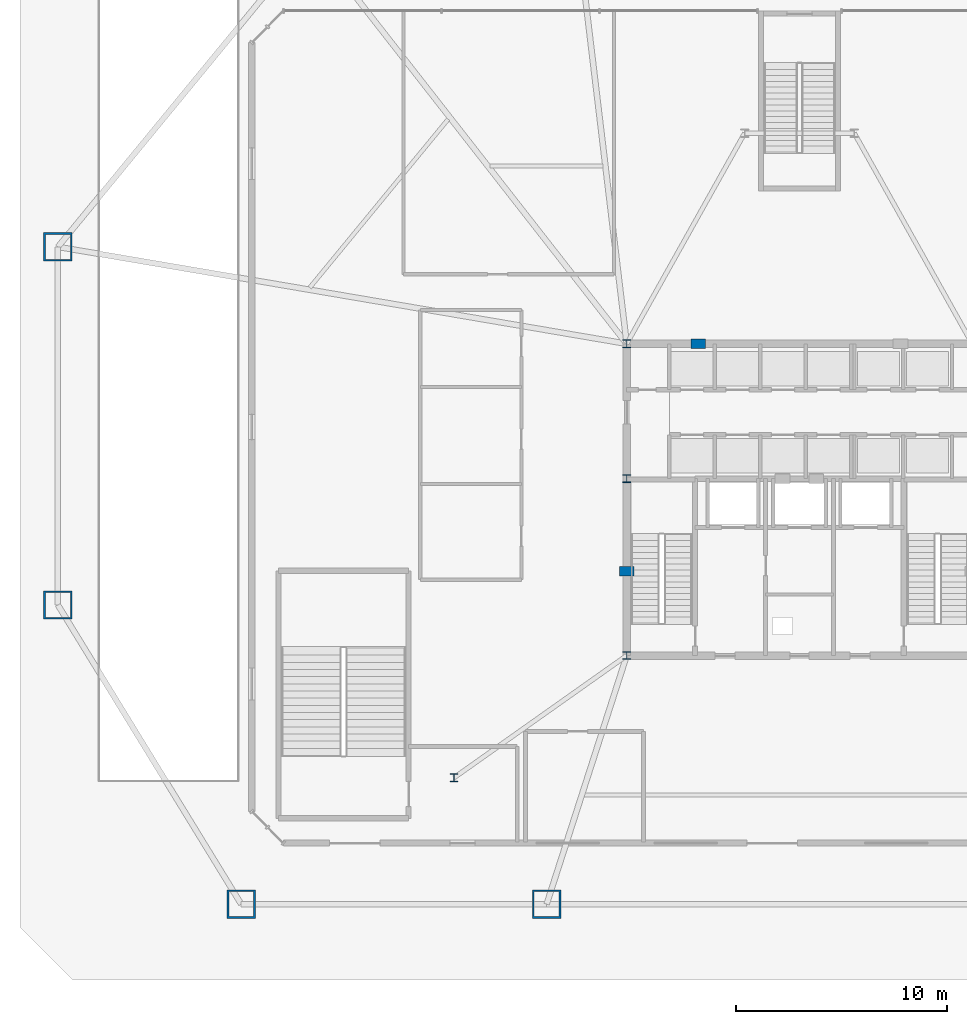
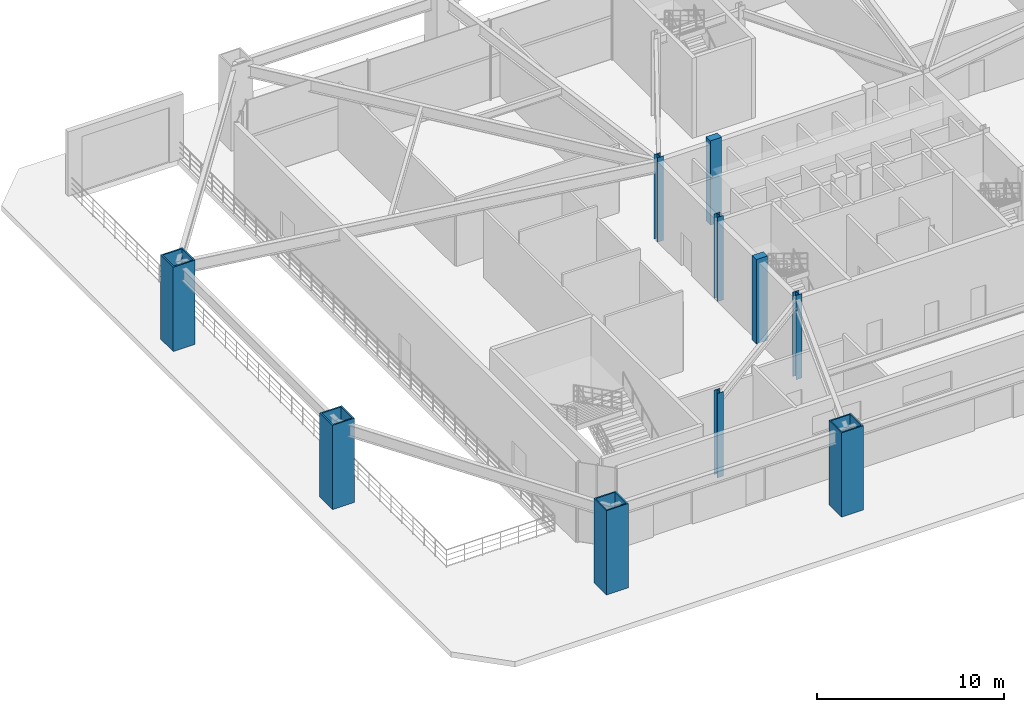
# One storey, part 1 of 20: 10 columns.
"""IFC4 building model written with IfcOpenShell, lengths in metres."""

from ifc_helpers import new_model, si_unit, direction, frame, origin, origin_2d, place, context, subcontext, project, spatial, rectangle, hollow_rectangle, i_section, extrude, material, material_profile, profile_set, type_object, element, save


model = new_model("IFC4")

# Units and contexts
model_context = context("Model", 3, precision=1e-05, world=origin(), true_north=direction((0.0, 1.0)))
body_context = subcontext(model_context, "Body", "Model", "MODEL_VIEW")
ifc_project = project(units=[si_unit("LENGTHUNIT", "METRE"), si_unit("AREAUNIT", "SQUARE_METRE"), si_unit("VOLUMEUNIT", "CUBIC_METRE"), si_unit("PLANEANGLEUNIT", "RADIAN"), si_unit("MASSUNIT", "GRAM", prefix="KILO")], contexts=[model_context])

# Site, building, storey
site_placement = place(None, origin())
site = spatial("IfcSite", under=ifc_project, at=site_placement, CompositionType="ELEMENT")
building_placement = place(site_placement, origin())
building = spatial("IfcBuilding", under=site, at=building_placement, Name="Varakhsha Concourse Tower", CompositionType="ELEMENT")
storey_placement = place(building_placement, origin())
storey = spatial("IfcBuildingStorey", under=building, at=storey_placement, Name="L01", CompositionType="ELEMENT", Elevation=0.0)

# Columns
ifc_material_1 = material(Name="Structural Steel ASTM A992 Grade 50", Category="steel")
ifc_material_profile_1 = material_profile(ifc_material_1, i_section(OverallWidth=0.3740234375, OverallDepth=0.3720703125, WebThickness=0.01611328125, FlangeThickness=0.02587890625, at=origin_2d()), Name="W14X132")
ifc_profile_set_1 = profile_set([ifc_material_profile_1], Name="Structural Steel ASTM A992 Grade 50")
column_type_1 = type_object("IfcColumnType", Name="CL-CORE-W14X132", PredefinedType="COLUMN", material=ifc_profile_set_1)
for number, where, z_axis, x_axis, name in (
    (1, (31.800048828125, 16.39990234375, 0.0), (0.0, 0.0, 1.0), (1.0, 0.0, 0.0), "L01 Core Column CC-SW"),
    (2, (31.800048828125, 24.800048828125, 0.0), (0.0, 0.0, 1.0), (1.0, 0.0, 0.0), "L01 Core Column CC-MW"),
    (3, (31.800048828125, 31.199951171875, 0.0), (0.0, 0.0, 1.0), (1.0, 0.0, 0.0), "L01 Core Column CC-NW"),
    (4, (23.60009765625, 10.60009765625, 0.0), (0.0, 0.0, 1.0), (1.0, 0.0, 0.0), "L01 Core Column SS-W"),
):
    element("IfcColumn", number, at=place(storey_placement, frame(where, z_axis=z_axis, x_axis=x_axis)), inside=storey, type_object=column_type_1, Name=name, PredefinedType="COLUMN", context=body_context, shape_type="SweptSolid", body=[
        extrude(i_section(OverallWidth=0.3740234375, OverallDepth=0.3720703125, WebThickness=0.01611328125, FlangeThickness=0.02587890625, at=origin_2d()), origin(), (0.0, 0.0, 1.0), 5.5),
    ])
ifc_material_2 = material(Name="Concrete fc 65 MPa", Category="concrete")
ifc_material_profile_2 = material_profile(ifc_material_2, rectangle(XDim=0.699951171875, YDim=0.449951171875, at=origin_2d()), Name="RC 700x450")
ifc_profile_set_2 = profile_set([ifc_material_profile_2], Name="Concrete fc 65 MPa")
column_type_2 = type_object("IfcColumnType", Name="CL-PIL-700X450", PredefinedType="PILASTER", material=ifc_profile_set_2)
for number, where, z_axis, x_axis, name in (
    (5, (31.800048828125, 20.39990234375, 0.0), (0.0, 0.0, 1.0), (1.0, 0.0, 0.0), "L01 Core Boundary Pilaster PIL-W1"),
    (6, (35.199951171875, 31.199951171875, 0.0), (0.0, 0.0, 1.0), (1.0, 0.0, 0.0), "L01 Core Boundary Pilaster PIL-N1"),
):
    element("IfcColumn", number, at=place(storey_placement, frame(where, z_axis=z_axis, x_axis=x_axis)), inside=storey, type_object=column_type_2, Name=name, PredefinedType="PILASTER", context=body_context, shape_type="SweptSolid", body=[
        extrude(rectangle(XDim=0.699951171875, YDim=0.449951171875, at=origin_2d()), origin(), (0.0, 0.0, 1.0), 5.5),
    ])
ifc_material_3 = material(Name="Structural Steel ASTM A572 Grade 50", Category="steel")
ifc_material_profile_3 = material_profile(ifc_material_3, hollow_rectangle(XDim=1.35009765625, YDim=1.35009765625, WallThickness=0.0849609375, at=origin_2d()), Name="BOX 1350x1350x85")
ifc_profile_set_3 = profile_set([ifc_material_profile_3], Name="Structural Steel ASTM A572 Grade 50")
column_type_3 = type_object("IfcColumnType", Name="CL-STILT-1350", PredefinedType="COLUMN", material=ifc_profile_set_3)
for number, where, z_axis, x_axis, name in (
    (7, (13.5, 4.60009765625, 0.0), (0.0, 0.0, 1.0), (1.0, 0.0, 0.0), "L01 Open Perimeter Box Stilt PC-S1"),
    (8, (28.0, 4.60009765625, 0.0), (0.0, 0.0, 1.0), (1.0, 0.0, 0.0), "L01 Open Perimeter Box Stilt PC-S2"),
    (9, (4.800048828125, 18.800048828125, 0.0), (0.0, 0.0, 1.0), (1.0, 0.0, 0.0), "L01 Open Perimeter Box Stilt PC-W1"),
    (10, (4.800048828125, 35.800048828125, 0.0), (0.0, 0.0, 1.0), (1.0, 0.0, 0.0), "L01 Open Perimeter Box Stilt PC-W2"),
):
    element("IfcColumn", number, at=place(storey_placement, frame(where, z_axis=z_axis, x_axis=x_axis)), inside=storey, type_object=column_type_3, Name=name, PredefinedType="COLUMN", context=body_context, shape_type="SweptSolid", body=[
        extrude(hollow_rectangle(XDim=1.35009765625, YDim=1.35009765625, WallThickness=0.0849609375, at=origin_2d()), origin(), (0.0, 0.0, 1.0), 5.5),
    ])

save(model, "model.ifc")
